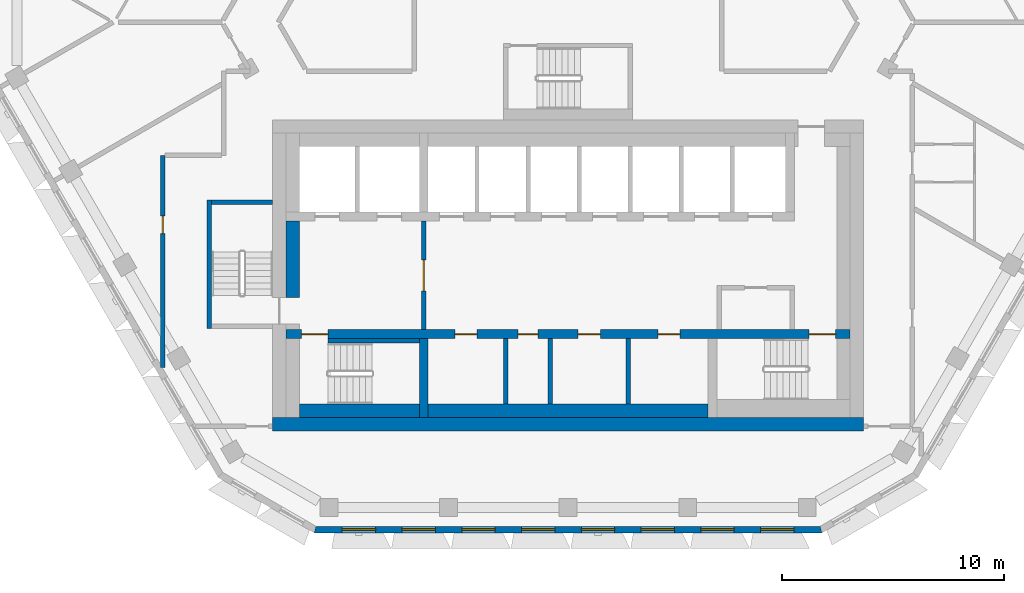
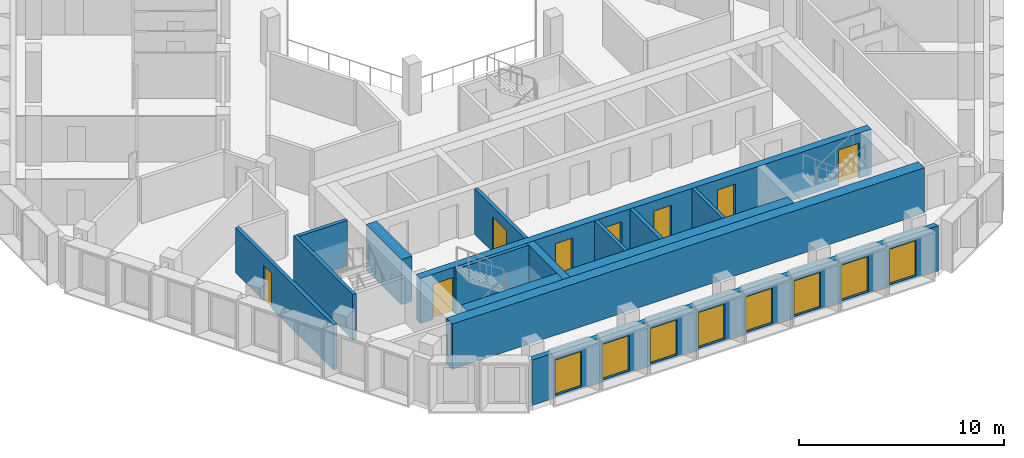
# One storey, part 3 of 17: 15 walls, 8 doors, 8 windows, 16 openings.
"""IFC4 building model written with IfcOpenShell, lengths in metres."""

from ifc_helpers import new_model, si_unit, direction, frame, frame_2d, origin, place, context, subcontext, project, spatial, polyline, rectangle, outline, extrude, material, layer, layer_set, type_object, element, fill, save


model = new_model("IFC4")

# Units and contexts
model_context = context("Model", 3, precision=1e-05, world=origin(), true_north=direction((0.0, 1.0)))
body_context = subcontext(model_context, "Body", "Model", "MODEL_VIEW")
ifc_project = project(units=[si_unit("LENGTHUNIT", "METRE"), si_unit("AREAUNIT", "SQUARE_METRE"), si_unit("VOLUMEUNIT", "CUBIC_METRE"), si_unit("PLANEANGLEUNIT", "RADIAN"), si_unit("MASSUNIT", "GRAM", prefix="KILO")], contexts=[model_context])

# Site, building, storey
site_placement = place(None, origin())
site = spatial("IfcSite", under=ifc_project, at=site_placement, CompositionType="ELEMENT")
building_placement = place(site_placement, origin())
building = spatial("IfcBuilding", under=site, at=building_placement, Name="Beryl Residences", CompositionType="ELEMENT")
storey_placement = place(building_placement, frame((0.0, 0.0, 166.199951171875)))
storey = spatial("IfcBuildingStorey", under=building, at=storey_placement, Name="L50", CompositionType="ELEMENT", Elevation=166.199951171875)

# Wall, openings, windows
ifc_material_1 = material(Name="Composite metal panel with mineral wool insulation")
ifc_layer_1 = layer(ifc_material_1, 0.300048828125)
ifc_layer_set_1 = layer_set([ifc_layer_1], Name="ES1 pale metal composite panel wall 300 mm")
wall_type_1 = type_object("IfcWallType", Name="ES1 pale metal composite panel wall 300 mm", PredefinedType="SOLIDWALL", material=ifc_layer_set_1)
wall_1_placement = place(storey_placement, frame((-11.430908203125, -23.449951171875, 0.0), z_axis=(0.0, 0.0, 1.0), x_axis=(1.0, 0.0, 0.0)))
wall_1 = element("IfcWall", 1, at=wall_1_placement, inside=storey, type_object=wall_type_1, Name="ES1 external wall L50 S", PredefinedType="SOLIDWALL", context=body_context, shape_type="SweptSolid", body=[
    extrude(outline(polyline([(0.0, -0.14990234375), (22.86181640625, -0.14990234375), (22.781494140625, 0.14990234375), (0.080322265625, 0.14990234375), (0.0, -0.14990234375)])), origin(), (0.0, 0.0, 1.0), 2.699951171875),
])
opening_1_placement = place(wall_1_placement, frame((1.260009765625, 0.0, 0.14990234375)))
opening_1 = element("IfcOpeningElement", 2, at=opening_1_placement, cuts=wall_1, Name="Opening W1", PredefinedType="OPENING", context=body_context, shape_type="SweptSolid", body=[
    extrude(rectangle(XDim=1.5, YDim=2.10009765625, at=frame_2d((0.75, 1.050048828125))), frame((0.0, 0.159912109375, 0.0), z_axis=(0.0, -1.0, 0.0), x_axis=(1.0, 0.0, 0.0)), (0.0, 0.0, 1.0), 0.320068359375),
])
opening_2_placement = place(wall_1_placement, frame((3.951904296875, 0.0, 0.14990234375)))
opening_2 = element("IfcOpeningElement", 3, at=opening_2_placement, cuts=wall_1, Name="Opening W1", PredefinedType="OPENING", context=body_context, shape_type="SweptSolid", body=[
    extrude(rectangle(XDim=1.5, YDim=2.10009765625, at=frame_2d((0.75, 1.050048828125))), frame((0.0, 0.159912109375, 0.0), z_axis=(0.0, -1.0, 0.0), x_axis=(1.0, 0.0, 0.0)), (0.0, 0.0, 1.0), 0.320068359375),
])
opening_3_placement = place(wall_1_placement, frame((6.64404296875, 0.0, 0.14990234375)))
opening_3 = element("IfcOpeningElement", 4, at=opening_3_placement, cuts=wall_1, Name="Opening W1", PredefinedType="OPENING", context=body_context, shape_type="SweptSolid", body=[
    extrude(rectangle(XDim=1.5, YDim=2.10009765625, at=frame_2d((0.75, 1.050048828125))), frame((0.0, 0.159912109375, 0.0), z_axis=(0.0, -1.0, 0.0), x_axis=(1.0, 0.0, 0.0)), (0.0, 0.0, 1.0), 0.320068359375),
])
opening_4_placement = place(wall_1_placement, frame((9.3359375, 0.0, 0.14990234375)))
opening_4 = element("IfcOpeningElement", 5, at=opening_4_placement, cuts=wall_1, Name="Opening W1", PredefinedType="OPENING", context=body_context, shape_type="SweptSolid", body=[
    extrude(rectangle(XDim=1.5, YDim=2.10009765625, at=frame_2d((0.75, 1.050048828125))), frame((0.0, 0.159912109375, 0.0), z_axis=(0.0, -1.0, 0.0), x_axis=(1.0, 0.0, 0.0)), (0.0, 0.0, 1.0), 0.320068359375),
])
opening_5_placement = place(wall_1_placement, frame((12.028076171875, 0.0, 0.14990234375)))
opening_5 = element("IfcOpeningElement", 6, at=opening_5_placement, cuts=wall_1, Name="Opening W1", PredefinedType="OPENING", context=body_context, shape_type="SweptSolid", body=[
    extrude(rectangle(XDim=1.5, YDim=2.10009765625, at=frame_2d((0.75, 1.050048828125))), frame((0.0, 0.159912109375, 0.0), z_axis=(0.0, -1.0, 0.0), x_axis=(1.0, 0.0, 0.0)), (0.0, 0.0, 1.0), 0.320068359375),
])
opening_6_placement = place(wall_1_placement, frame((14.719970703125, 0.0, 0.14990234375)))
opening_6 = element("IfcOpeningElement", 7, at=opening_6_placement, cuts=wall_1, Name="Opening W1", PredefinedType="OPENING", context=body_context, shape_type="SweptSolid", body=[
    extrude(rectangle(XDim=1.5, YDim=2.10009765625, at=frame_2d((0.75, 1.050048828125))), frame((0.0, 0.159912109375, 0.0), z_axis=(0.0, -1.0, 0.0), x_axis=(1.0, 0.0, 0.0)), (0.0, 0.0, 1.0), 0.320068359375),
])
opening_7_placement = place(wall_1_placement, frame((17.412109375, 0.0, 0.14990234375)))
opening_7 = element("IfcOpeningElement", 8, at=opening_7_placement, cuts=wall_1, Name="Opening W1", PredefinedType="OPENING", context=body_context, shape_type="SweptSolid", body=[
    extrude(rectangle(XDim=1.5, YDim=2.10009765625, at=frame_2d((0.75, 1.050048828125))), frame((0.0, 0.159912109375, 0.0), z_axis=(0.0, -1.0, 0.0), x_axis=(1.0, 0.0, 0.0)), (0.0, 0.0, 1.0), 0.320068359375),
])
opening_8_placement = place(wall_1_placement, frame((20.10400390625, 0.0, 0.14990234375)))
opening_8 = element("IfcOpeningElement", 9, at=opening_8_placement, cuts=wall_1, Name="Opening W1", PredefinedType="OPENING", context=body_context, shape_type="SweptSolid", body=[
    extrude(rectangle(XDim=1.5, YDim=2.10009765625, at=frame_2d((0.75, 1.050048828125))), frame((0.0, 0.159912109375, 0.0), z_axis=(0.0, -1.0, 0.0), x_axis=(1.0, 0.0, 0.0)), (0.0, 0.0, 1.0), 0.320068359375),
])
ifc_material_2 = material(Name="Aluminium and clear glass", Category="aluminium")
window_type = type_object("IfcWindowType", Name="W1 cell window 1500 x 2100 mm", PartitioningType="SINGLE_PANEL", PredefinedType="WINDOW", material=ifc_material_2)
window_1_placement = place(opening_1_placement, origin())
window_1 = element("IfcWindow", 10, at=window_1_placement, inside=storey, type_object=window_type, Name="W1 window L50 S 1", OverallHeight=2.10009765625, OverallWidth=1.5, PartitioningType="SINGLE_PANEL", PredefinedType="WINDOW", context=body_context, shape_type="SweptSolid", body=[
    extrude(rectangle(XDim=1.5, YDim=2.10009765625, at=frame_2d((0.75, 1.050048828125))), frame((0.0, 0.030029296875, 0.0), z_axis=(0.0, -1.0, 0.0), x_axis=(1.0, 0.0, 0.0)), (0.0, 0.0, 1.0), 0.06005859375),
])
fill(opening_1, window_1)
window_2_placement = place(opening_2_placement, origin())
window_2 = element("IfcWindow", 11, at=window_2_placement, inside=storey, type_object=window_type, Name="W1 window L50 S 2", OverallHeight=2.10009765625, OverallWidth=1.5, PartitioningType="SINGLE_PANEL", PredefinedType="WINDOW", context=body_context, shape_type="SweptSolid", body=[
    extrude(rectangle(XDim=1.5, YDim=2.10009765625, at=frame_2d((0.75, 1.050048828125))), frame((0.0, 0.030029296875, 0.0), z_axis=(0.0, -1.0, 0.0), x_axis=(1.0, 0.0, 0.0)), (0.0, 0.0, 1.0), 0.06005859375),
])
fill(opening_2, window_2)
window_3_placement = place(opening_3_placement, origin())
window_3 = element("IfcWindow", 12, at=window_3_placement, inside=storey, type_object=window_type, Name="W1 window L50 S 3", OverallHeight=2.10009765625, OverallWidth=1.5, PartitioningType="SINGLE_PANEL", PredefinedType="WINDOW", context=body_context, shape_type="SweptSolid", body=[
    extrude(rectangle(XDim=1.5, YDim=2.10009765625, at=frame_2d((0.75, 1.050048828125))), frame((0.0, 0.030029296875, 0.0), z_axis=(0.0, -1.0, 0.0), x_axis=(1.0, 0.0, 0.0)), (0.0, 0.0, 1.0), 0.06005859375),
])
fill(opening_3, window_3)
window_4_placement = place(opening_4_placement, origin())
window_4 = element("IfcWindow", 13, at=window_4_placement, inside=storey, type_object=window_type, Name="W1 window L50 S 4", OverallHeight=2.10009765625, OverallWidth=1.5, PartitioningType="SINGLE_PANEL", PredefinedType="WINDOW", context=body_context, shape_type="SweptSolid", body=[
    extrude(rectangle(XDim=1.5, YDim=2.10009765625, at=frame_2d((0.75, 1.050048828125))), frame((0.0, 0.030029296875, 0.0), z_axis=(0.0, -1.0, 0.0), x_axis=(1.0, 0.0, 0.0)), (0.0, 0.0, 1.0), 0.06005859375),
])
fill(opening_4, window_4)
window_5_placement = place(opening_5_placement, origin())
window_5 = element("IfcWindow", 14, at=window_5_placement, inside=storey, type_object=window_type, Name="W1 window L50 S 5", OverallHeight=2.10009765625, OverallWidth=1.5, PartitioningType="SINGLE_PANEL", PredefinedType="WINDOW", context=body_context, shape_type="SweptSolid", body=[
    extrude(rectangle(XDim=1.5, YDim=2.10009765625, at=frame_2d((0.75, 1.050048828125))), frame((0.0, 0.030029296875, 0.0), z_axis=(0.0, -1.0, 0.0), x_axis=(1.0, 0.0, 0.0)), (0.0, 0.0, 1.0), 0.06005859375),
])
fill(opening_5, window_5)
window_6_placement = place(opening_6_placement, origin())
window_6 = element("IfcWindow", 15, at=window_6_placement, inside=storey, type_object=window_type, Name="W1 window L50 S 6", OverallHeight=2.10009765625, OverallWidth=1.5, PartitioningType="SINGLE_PANEL", PredefinedType="WINDOW", context=body_context, shape_type="SweptSolid", body=[
    extrude(rectangle(XDim=1.5, YDim=2.10009765625, at=frame_2d((0.75, 1.050048828125))), frame((0.0, 0.030029296875, 0.0), z_axis=(0.0, -1.0, 0.0), x_axis=(1.0, 0.0, 0.0)), (0.0, 0.0, 1.0), 0.06005859375),
])
fill(opening_6, window_6)
window_7_placement = place(opening_7_placement, origin())
window_7 = element("IfcWindow", 16, at=window_7_placement, inside=storey, type_object=window_type, Name="W1 window L50 S 7", OverallHeight=2.10009765625, OverallWidth=1.5, PartitioningType="SINGLE_PANEL", PredefinedType="WINDOW", context=body_context, shape_type="SweptSolid", body=[
    extrude(rectangle(XDim=1.5, YDim=2.10009765625, at=frame_2d((0.75, 1.050048828125))), frame((0.0, 0.030029296875, 0.0), z_axis=(0.0, -1.0, 0.0), x_axis=(1.0, 0.0, 0.0)), (0.0, 0.0, 1.0), 0.06005859375),
])
fill(opening_7, window_7)
window_8_placement = place(opening_8_placement, origin())
window_8 = element("IfcWindow", 17, at=window_8_placement, inside=storey, type_object=window_type, Name="W1 window L50 S 8", OverallHeight=2.10009765625, OverallWidth=1.5, PartitioningType="SINGLE_PANEL", PredefinedType="WINDOW", context=body_context, shape_type="SweptSolid", body=[
    extrude(rectangle(XDim=1.5, YDim=2.10009765625, at=frame_2d((0.75, 1.050048828125))), frame((0.0, 0.030029296875, 0.0), z_axis=(0.0, -1.0, 0.0), x_axis=(1.0, 0.0, 0.0)), (0.0, 0.0, 1.0), 0.06005859375),
])
fill(opening_8, window_8)

# Wall, opening, door
ifc_material_3 = material(Name="Concrete masonry", Category="masonry")
ifc_layer_2 = layer(ifc_material_3, 0.199951171875)
ifc_layer_set_2 = layer_set([ifc_layer_2], Name="PT13 lobby wall 200 mm")
wall_type_2 = type_object("IfcWallType", Name="PT13 lobby wall 200 mm", PredefinedType="PARTITIONING", material=ifc_layer_set_2)
wall_2_placement = place(storey_placement, frame((-6.5, -14.449951171875, 0.0), z_axis=(0.0, 0.0, 1.0), x_axis=(0.0, 1.0, 0.0)))
wall_2 = element("IfcWall", 18, at=wall_2_placement, inside=storey, type_object=wall_type_2, Name="Lobby wall 12", PredefinedType="PARTITIONING", context=body_context, shape_type="SweptSolid", body=[
    extrude(rectangle(XDim=4.89990234375, YDim=0.199951171875, at=frame_2d((2.449951171875, 0.0))), origin(), (0.0, 0.0, 1.0), 2.699951171875),
])
opening_9_placement = place(wall_2_placement, frame((3.14990234375, 0.0, 0.0), z_axis=(0.0, 0.0, 1.0), x_axis=(-1.0, 0.0, 0.0)))
opening_9 = element("IfcOpeningElement", 19, at=opening_9_placement, cuts=wall_2, Name="Opening FD-FFL", PredefinedType="OPENING", context=body_context, shape_type="SweptSolid", body=[
    extrude(rectangle(XDim=1.39990234375, YDim=2.10009765625, at=frame_2d((0.699951171875, 1.050048828125))), frame((0.0, 0.10986328125, 0.0), z_axis=(0.0, -1.0, 0.0), x_axis=(1.0, 0.0, 0.0)), (0.0, 0.0, 1.0), 0.219970703125),
])
ifc_material_4 = material(Name="Steel door leaf in steel frame", Category="steel")
door_type_1 = type_object("IfcDoorType", Name="D5 lobby door 1400 x 2100 mm", OperationType="DOUBLE_DOOR_SINGLE_SWING", PredefinedType="DOOR", material=ifc_material_4)
door_1_placement = place(opening_9_placement, origin())
door_1 = element("IfcDoor", 20, at=door_1_placement, inside=storey, type_object=door_type_1, Name="Door FD-FFL L50 001", OperationType="DOUBLE_DOOR_SINGLE_SWING", OverallHeight=2.10009765625, OverallWidth=1.39990234375, PredefinedType="DOOR", context=body_context, shape_type="SweptSolid", body=[
    extrude(rectangle(XDim=1.39990234375, YDim=2.10009765625, at=frame_2d((0.699951171875, 1.050048828125))), frame((0.0, 0.02490234375, 0.0), z_axis=(0.0, -1.0, 0.0), x_axis=(1.0, 0.0, 0.0)), (0.0, 0.0, 1.0), 0.050048828125),
])
fill(opening_9, door_1)

# Wall
ifc_material_5 = material(Name="Concrete masonry", Category="masonry")
ifc_layer_3 = layer(ifc_material_5, 0.60009765625)
ifc_layer_set_3 = layer_set([ifc_layer_3], Name="PT13-600 lobby wall 600 mm")
wall_type_3 = type_object("IfcWallType", Name="PT13-600 lobby wall 600 mm", PredefinedType="PARTITIONING", material=ifc_layer_set_3)
wall_3_placement = place(storey_placement, frame((-12.39990234375, -13.0, 0.0), z_axis=(0.0, 0.0, 1.0), x_axis=(0.0, 1.0, 0.0)))
element("IfcWall", 21, at=wall_3_placement, inside=storey, type_object=wall_type_3, Name="Lobby wall 06", PredefinedType="PARTITIONING", context=body_context, shape_type="SweptSolid", body=[
    extrude(rectangle(XDim=3.449951171875, YDim=0.60009765625, at=frame_2d((1.72509765625, 0.0))), origin(), (0.0, 0.0, 1.0), 2.699951171875),
])

# Wall, opening, door
ifc_material_6 = material(Name="Double stud gypsum board wall")
ifc_layer_4 = layer(ifc_material_6, 0.199951171875)
ifc_layer_set_4 = layer_set([ifc_layer_4], Name="PT4 corridor wall 200 mm double stud")
wall_type_4 = type_object("IfcWallType", Name="PT4 corridor wall 200 mm double stud", PredefinedType="PARTITIONING", material=ifc_layer_set_4)
wall_4_placement = place(storey_placement, frame((-18.25, -16.152099609375, 0.0), z_axis=(0.0, 0.0, 1.0), x_axis=(0.0, 1.0, 0.0)))
wall_4 = element("IfcWall", 22, at=wall_4_placement, inside=storey, type_object=wall_type_4, Name="Wall PT4 L50 026", PredefinedType="PARTITIONING", context=body_context, shape_type="SweptSolid", body=[
    extrude(rectangle(XDim=9.551025390625, YDim=0.199951171875, at=frame_2d((4.775390625, 0.0))), origin(), (0.0, 0.0, 1.0), 2.699951171875),
])
opening_10_placement = place(wall_4_placement, frame((6.02587890625, 0.0, 0.0)))
opening_10 = element("IfcOpeningElement", 23, at=opening_10_placement, cuts=wall_4, Name="Opening D1419", PredefinedType="OPENING", context=body_context, shape_type="SweptSolid", body=[
    extrude(rectangle(XDim=0.800048828125, YDim=2.10009765625, at=frame_2d((0.39990234375, 1.050048828125))), frame((0.0, 0.10986328125, 0.0), z_axis=(0.0, -1.0, 0.0), x_axis=(1.0, 0.0, 0.0)), (0.0, 0.0, 1.0), 0.219970703125),
])
ifc_material_7 = material(Name="Timber door leaf", Category="wood")
door_type_2 = type_object("IfcDoorType", Name="D3 bathroom door 800 x 2100 mm", OperationType="SINGLE_SWING_LEFT", PredefinedType="DOOR", material=ifc_material_7)
door_2_placement = place(opening_10_placement, origin())
door_2 = element("IfcDoor", 24, at=door_2_placement, inside=storey, type_object=door_type_2, Name="Door D1419 L50 001", OperationType="SINGLE_SWING_LEFT", OverallHeight=2.10009765625, OverallWidth=0.800048828125, PredefinedType="DOOR", context=body_context, shape_type="SweptSolid", body=[
    extrude(rectangle(XDim=0.800048828125, YDim=2.10009765625, at=frame_2d((0.39990234375, 1.050048828125))), frame((0.0, 0.02490234375, 0.0), z_axis=(0.0, -1.0, 0.0), x_axis=(1.0, 0.0, 0.0)), (0.0, 0.0, 1.0), 0.050048828125),
])
fill(opening_10, door_2)

# Walls
ifc_material_8 = material(Name="Concrete C40/50", Category="concrete")
ifc_layer_5 = layer(ifc_material_8, 0.199951171875)
ifc_layer_set_5 = layer_set([ifc_layer_5], Name="PT5 stair enclosure wall 200 mm reinforced concrete C40/50")
wall_type_5 = type_object("IfcWallType", Name="PT5 stair enclosure wall 200 mm reinforced concrete C40/50", PredefinedType="SOLIDWALL", material=ifc_layer_set_5)
wall_5_placement = place(storey_placement, frame((-16.14990234375, -14.39990234375, 0.0), z_axis=(0.0, 0.0, 1.0), x_axis=(0.0, 1.0, 0.0)))
element("IfcWall", 25, at=wall_5_placement, inside=storey, type_object=wall_type_5, Name="Stair wall 01", PredefinedType="SOLIDWALL", context=body_context, shape_type="SweptSolid", body=[
    extrude(rectangle(XDim=5.7998046875, YDim=0.199951171875, at=frame_2d((2.89990234375, 0.0))), origin(), (0.0, 0.0, 1.0), 2.699951171875),
])
wall_6_placement = place(storey_placement, frame((-16.050048828125, -8.699951171875, 0.0), z_axis=(0.0, 0.0, 1.0), x_axis=(1.0, 0.0, 0.0)))
element("IfcWall", 26, at=wall_6_placement, inside=storey, type_object=wall_type_5, Name="Stair wall 03", PredefinedType="SOLIDWALL", context=body_context, shape_type="SweptSolid", body=[
    extrude(rectangle(XDim=2.75, YDim=0.199951171875, at=frame_2d((1.375, 0.0))), origin(), (0.0, 0.0, 1.0), 2.699951171875),
])
wall_7_placement = place(storey_placement, frame((-10.800048828125, -14.949951171875, 0.0), z_axis=(0.0, 0.0, 1.0), x_axis=(1.0, 0.0, 0.0)))
element("IfcWall", 27, at=wall_7_placement, inside=storey, type_object=wall_type_5, Name="Stair wall 10", PredefinedType="SOLIDWALL", context=body_context, shape_type="SweptSolid", body=[
    extrude(rectangle(XDim=4.10009765625, YDim=0.199951171875, at=frame_2d((2.050048828125, 0.0))), origin(), (0.0, 0.0, 1.0), 2.699951171875),
])
ifc_material_9 = material(Name="Concrete C40/50", Category="concrete")
ifc_layer_6 = layer(ifc_material_9, 0.60009765625)
ifc_layer_set_6 = layer_set([ifc_layer_6], Name="PT5-600 stair enclosure wall 600 mm")
wall_type_6 = type_object("IfcWallType", Name="PT5-600 stair enclosure wall 600 mm", PredefinedType="SOLIDWALL", material=ifc_layer_set_6)
wall_8_placement = place(storey_placement, frame((-12.10009765625, -18.10009765625, 0.0), z_axis=(0.0, 0.0, 1.0), x_axis=(1.0, 0.0, 0.0)))
element("IfcWall", 28, at=wall_8_placement, inside=storey, type_object=wall_type_6, Name="Stair wall 08", PredefinedType="SOLIDWALL", context=body_context, shape_type="SweptSolid", body=[
    extrude(rectangle(XDim=5.400146484375, YDim=0.60009765625, at=frame_2d((2.7001953125, 0.0))), origin(), (0.0, 0.0, 1.0), 2.699951171875),
])
ifc_material_10 = material(Name="Concrete masonry", Category="masonry")
ifc_layer_7 = layer(ifc_material_10, 0.199951171875)
ifc_layer_set_7 = layer_set([ifc_layer_7], Name="PT8-200 service room wall 200 mm")
wall_type_7 = type_object("IfcWallType", Name="PT8-200 service room wall 200 mm", PredefinedType="PARTITIONING", material=ifc_layer_set_7)
for number, where, z_axis, x_axis, name in (
    (29, (-2.800048828125, -17.800048828125, 0.0), (0.0, 0.0, 1.0), (0.0, 1.0, 0.0), "Core room wall 16"),
    (30, (-0.800048828125, -17.800048828125, 0.0), (0.0, 0.0, 1.0), (0.0, 1.0, 0.0), "Core room wall 18"),
    (31, (2.699951171875, -17.800048828125, 0.0), (0.0, 0.0, 1.0), (0.0, 1.0, 0.0), "Core room wall 20"),
):
    element("IfcWall", number, at=place(storey_placement, frame(where, z_axis=z_axis, x_axis=x_axis)), inside=storey, type_object=wall_type_7, Name=name, PredefinedType="PARTITIONING", context=body_context, shape_type="SweptSolid", body=[
        extrude(rectangle(XDim=2.949951171875, YDim=0.199951171875, at=frame_2d((1.47509765625, 0.0))), origin(), (0.0, 0.0, 1.0), 2.699951171875),
    ])
ifc_material_11 = material(Name="Concrete masonry", Category="masonry")
ifc_layer_8 = layer(ifc_material_11, 0.60009765625)
ifc_layer_set_8 = layer_set([ifc_layer_8], Name="PT8-600 service room wall 600 mm")
wall_type_8 = type_object("IfcWallType", Name="PT8-600 service room wall 600 mm", PredefinedType="PARTITIONING", material=ifc_layer_set_8)
wall_9_placement = place(storey_placement, frame((-6.300048828125, -18.10009765625, 0.0), z_axis=(0.0, 0.0, 1.0), x_axis=(1.0, 0.0, 0.0)))
element("IfcWall", 32, at=wall_9_placement, inside=storey, type_object=wall_type_8, Name="Core room wall 13", PredefinedType="PARTITIONING", context=body_context, shape_type="SweptSolid", body=[
    extrude(rectangle(XDim=12.60009765625, YDim=0.60009765625, at=frame_2d((6.300048828125, 0.0))), origin(), (0.0, 0.0, 1.0), 2.699951171875),
])
ifc_material_12 = material(Name="Concrete C50/60", Category="concrete")
ifc_layer_9 = layer(ifc_material_12, 0.60009765625)
ifc_layer_set_9 = layer_set([ifc_layer_9], Name="SW4 core outer wall 600 mm C50/60")
wall_type_9 = type_object("IfcWallType", Name="SW4 core outer wall 600 mm C50/60", PredefinedType="SHEAR", material=ifc_layer_set_9)
wall_10_placement = place(storey_placement, frame((-13.300048828125, -18.699951171875, 0.0), z_axis=(0.0, 0.0, 1.0), x_axis=(1.0, 0.0, 0.0)))
element("IfcWall", 33, at=wall_10_placement, inside=storey, type_object=wall_type_9, Name="Core wall S L50", PredefinedType="SHEAR", context=body_context, shape_type="SweptSolid", body=[
    extrude(rectangle(XDim=26.60009765625, YDim=0.60009765625, at=frame_2d((13.300048828125, 0.0))), origin(), (0.0, 0.0, 1.0), 2.699951171875),
])

# Wall, openings, doors
ifc_material_13 = material(Name="Concrete C50/60", Category="concrete")
ifc_layer_10 = layer(ifc_material_13, 0.39990234375)
ifc_layer_set_10 = layer_set([ifc_layer_10], Name="SW9 core internal wall 400 mm C50/60")
wall_type_10 = type_object("IfcWallType", Name="SW9 core internal wall 400 mm C50/60", PredefinedType="SHEAR", material=ifc_layer_set_10)
wall_11_placement = place(storey_placement, frame((-12.699951171875, -14.64990234375, 0.0), z_axis=(0.0, 0.0, 1.0), x_axis=(1.0, 0.0, 0.0)))
wall_11 = element("IfcWall", 34, at=wall_11_placement, inside=storey, type_object=wall_type_10, Name="Core wall SP1 L50", PredefinedType="SHEAR", context=body_context, shape_type="SweptSolid", body=[
    extrude(rectangle(XDim=25.39990234375, YDim=0.39990234375, at=frame_2d((12.699951171875, 0.0))), origin(), (0.0, 0.0, 1.0), 2.699951171875),
])
opening_11_placement = place(wall_11_placement, frame((1.89990234375, 0.0, 0.0), z_axis=(0.0, 0.0, 1.0), x_axis=(-1.0, 0.0, 0.0)))
opening_11 = element("IfcOpeningElement", 35, at=opening_11_placement, cuts=wall_11, Name="Opening SD-1", PredefinedType="OPENING", context=body_context, shape_type="SweptSolid", body=[
    extrude(rectangle(XDim=1.199951171875, YDim=2.10009765625, at=frame_2d((0.60009765625, 1.050048828125))), frame((0.0, 0.2099609375, 0.0), z_axis=(0.0, -1.0, 0.0), x_axis=(1.0, 0.0, 0.0)), (0.0, 0.0, 1.0), 0.419921875),
])
opening_12_placement = place(wall_11_placement, frame((24.75, 0.0, 0.0), z_axis=(0.0, 0.0, 1.0), x_axis=(-1.0, 0.0, 0.0)))
opening_12 = element("IfcOpeningElement", 36, at=opening_12_placement, cuts=wall_11, Name="Opening SD-3", PredefinedType="OPENING", context=body_context, shape_type="SweptSolid", body=[
    extrude(rectangle(XDim=1.199951171875, YDim=2.10009765625, at=frame_2d((0.60009765625, 1.050048828125))), frame((0.0, 0.2099609375, 0.0), z_axis=(0.0, -1.0, 0.0), x_axis=(1.0, 0.0, 0.0)), (0.0, 0.0, 1.0), 0.419921875),
])
opening_13_placement = place(wall_11_placement, frame((8.60009765625, 0.0, 0.0), z_axis=(0.0, 0.0, 1.0), x_axis=(-1.0, 0.0, 0.0)))
opening_13 = element("IfcOpeningElement", 37, at=opening_13_placement, cuts=wall_11, Name="Opening CD-D-S1", PredefinedType="OPENING", context=body_context, shape_type="SweptSolid", body=[
    extrude(rectangle(XDim=1.0, YDim=2.10009765625, at=frame_2d((0.5, 1.050048828125))), frame((0.0, 0.2099609375, 0.0), z_axis=(0.0, -1.0, 0.0), x_axis=(1.0, 0.0, 0.0)), (0.0, 0.0, 1.0), 0.419921875),
])
opening_14_placement = place(wall_11_placement, frame((11.349853515625, 0.0, 0.0), z_axis=(0.0, 0.0, 1.0), x_axis=(-1.0, 0.0, 0.0)))
opening_14 = element("IfcOpeningElement", 38, at=opening_14_placement, cuts=wall_11, Name="Opening CD-D-S2-900", PredefinedType="OPENING", context=body_context, shape_type="SweptSolid", body=[
    extrude(rectangle(XDim=0.89990234375, YDim=2.10009765625, at=frame_2d((0.449951171875, 1.050048828125))), frame((0.0, 0.2099609375, 0.0), z_axis=(0.0, -1.0, 0.0), x_axis=(1.0, 0.0, 0.0)), (0.0, 0.0, 1.0), 0.419921875),
])
opening_15_placement = place(wall_11_placement, frame((14.14990234375, 0.0, 0.0), z_axis=(0.0, 0.0, 1.0), x_axis=(-1.0, 0.0, 0.0)))
opening_15 = element("IfcOpeningElement", 39, at=opening_15_placement, cuts=wall_11, Name="Opening CD-D-S3", PredefinedType="OPENING", context=body_context, shape_type="SweptSolid", body=[
    extrude(rectangle(XDim=1.0, YDim=2.10009765625, at=frame_2d((0.5, 1.050048828125))), frame((0.0, 0.2099609375, 0.0), z_axis=(0.0, -1.0, 0.0), x_axis=(1.0, 0.0, 0.0)), (0.0, 0.0, 1.0), 0.419921875),
])
opening_16_placement = place(wall_11_placement, frame((17.75, 0.0, 0.0), z_axis=(0.0, 0.0, 1.0), x_axis=(-1.0, 0.0, 0.0)))
opening_16 = element("IfcOpeningElement", 40, at=opening_16_placement, cuts=wall_11, Name="Opening CD-D-S4", PredefinedType="OPENING", context=body_context, shape_type="SweptSolid", body=[
    extrude(rectangle(XDim=1.0, YDim=2.10009765625, at=frame_2d((0.5, 1.050048828125))), frame((0.0, 0.2099609375, 0.0), z_axis=(0.0, -1.0, 0.0), x_axis=(1.0, 0.0, 0.0)), (0.0, 0.0, 1.0), 0.419921875),
])
ifc_material_14 = material(Name="Steel door leaf in steel frame", Category="steel")
door_type_3 = type_object("IfcDoorType", Name="D18 service room door 1000 x 2100 mm", OperationType="SINGLE_SWING_LEFT", PredefinedType="DOOR", material=ifc_material_14)
door_3_placement = place(opening_13_placement, origin())
door_3 = element("IfcDoor", 41, at=door_3_placement, inside=storey, type_object=door_type_3, Name="Door CD-D-S1 L50 001", OperationType="SINGLE_SWING_RIGHT", OverallHeight=2.10009765625, OverallWidth=1.0, PredefinedType="DOOR", context=body_context, shape_type="SweptSolid", body=[
    extrude(rectangle(XDim=1.0, YDim=2.10009765625, at=frame_2d((0.5, 1.050048828125))), frame((0.0, 0.02490234375, 0.0), z_axis=(0.0, -1.0, 0.0), x_axis=(1.0, 0.0, 0.0)), (0.0, 0.0, 1.0), 0.050048828125),
])
fill(opening_13, door_3)
door_4_placement = place(opening_15_placement, origin())
door_4 = element("IfcDoor", 42, at=door_4_placement, inside=storey, type_object=door_type_3, Name="Door CD-D-S3 L50 001", OperationType="SINGLE_SWING_RIGHT", OverallHeight=2.10009765625, OverallWidth=1.0, PredefinedType="DOOR", context=body_context, shape_type="SweptSolid", body=[
    extrude(rectangle(XDim=1.0, YDim=2.10009765625, at=frame_2d((0.5, 1.050048828125))), frame((0.0, 0.02490234375, 0.0), z_axis=(0.0, -1.0, 0.0), x_axis=(1.0, 0.0, 0.0)), (0.0, 0.0, 1.0), 0.050048828125),
])
fill(opening_15, door_4)
door_5_placement = place(opening_16_placement, origin())
door_5 = element("IfcDoor", 43, at=door_5_placement, inside=storey, type_object=door_type_3, Name="Door CD-D-S4 L50 001", OperationType="SINGLE_SWING_LEFT", OverallHeight=2.10009765625, OverallWidth=1.0, PredefinedType="DOOR", context=body_context, shape_type="SweptSolid", body=[
    extrude(rectangle(XDim=1.0, YDim=2.10009765625, at=frame_2d((0.5, 1.050048828125))), frame((0.0, 0.02490234375, 0.0), z_axis=(0.0, -1.0, 0.0), x_axis=(1.0, 0.0, 0.0)), (0.0, 0.0, 1.0), 0.050048828125),
])
fill(opening_16, door_5)
ifc_material_15 = material(Name="Steel door leaf in steel frame", Category="steel")
door_type_4 = type_object("IfcDoorType", Name="D4 stair door 1200 x 2100 mm", OperationType="SINGLE_SWING_LEFT", PredefinedType="DOOR", material=ifc_material_15)
door_6_placement = place(opening_11_placement, origin())
door_6 = element("IfcDoor", 44, at=door_6_placement, inside=storey, type_object=door_type_4, Name="Door SD-1 L50 001", OperationType="SINGLE_SWING_RIGHT", OverallHeight=2.10009765625, OverallWidth=1.199951171875, PredefinedType="DOOR", context=body_context, shape_type="SweptSolid", body=[
    extrude(rectangle(XDim=1.199951171875, YDim=2.10009765625, at=frame_2d((0.60009765625, 1.050048828125))), frame((0.0, 0.02490234375, 0.0), z_axis=(0.0, -1.0, 0.0), x_axis=(1.0, 0.0, 0.0)), (0.0, 0.0, 1.0), 0.050048828125),
])
fill(opening_11, door_6)
door_7_placement = place(opening_12_placement, origin())
door_7 = element("IfcDoor", 45, at=door_7_placement, inside=storey, type_object=door_type_4, Name="Door SD-3 L50 001", OperationType="SINGLE_SWING_RIGHT", OverallHeight=2.10009765625, OverallWidth=1.199951171875, PredefinedType="DOOR", context=body_context, shape_type="SweptSolid", body=[
    extrude(rectangle(XDim=1.199951171875, YDim=2.10009765625, at=frame_2d((0.60009765625, 1.050048828125))), frame((0.0, 0.02490234375, 0.0), z_axis=(0.0, -1.0, 0.0), x_axis=(1.0, 0.0, 0.0)), (0.0, 0.0, 1.0), 0.050048828125),
])
fill(opening_12, door_7)
ifc_material_16 = material(Name="Steel door leaf in steel frame", Category="steel")
door_type_5 = type_object("IfcDoorType", Name="D6 service room door 900 x 2100 mm", OperationType="SINGLE_SWING_LEFT", PredefinedType="DOOR", material=ifc_material_16)
door_8_placement = place(opening_14_placement, origin())
door_8 = element("IfcDoor", 46, at=door_8_placement, inside=storey, type_object=door_type_5, Name="Door CD-D-S2-900 L50 001", OperationType="SINGLE_SWING_LEFT", OverallHeight=2.10009765625, OverallWidth=0.89990234375, PredefinedType="DOOR", context=body_context, shape_type="SweptSolid", body=[
    extrude(rectangle(XDim=0.89990234375, YDim=2.10009765625, at=frame_2d((0.449951171875, 1.050048828125))), frame((0.0, 0.02490234375, 0.0), z_axis=(0.0, -1.0, 0.0), x_axis=(1.0, 0.0, 0.0)), (0.0, 0.0, 1.0), 0.050048828125),
])
fill(opening_14, door_8)

# Wall
wall_12_placement = place(storey_placement, frame((-6.5, -18.39990234375, 0.0), z_axis=(0.0, 0.0, 1.0), x_axis=(0.0, 1.0, 0.0)))
element("IfcWall", 47, at=wall_12_placement, inside=storey, type_object=wall_type_10, Name="Core wall XS1 L50", PredefinedType="SHEAR", context=body_context, shape_type="SweptSolid", body=[
    extrude(rectangle(XDim=3.5498046875, YDim=0.39990234375, at=frame_2d((1.77490234375, 0.0))), origin(), (0.0, 0.0, 1.0), 2.699951171875),
])

save(model, "model.ifc")
